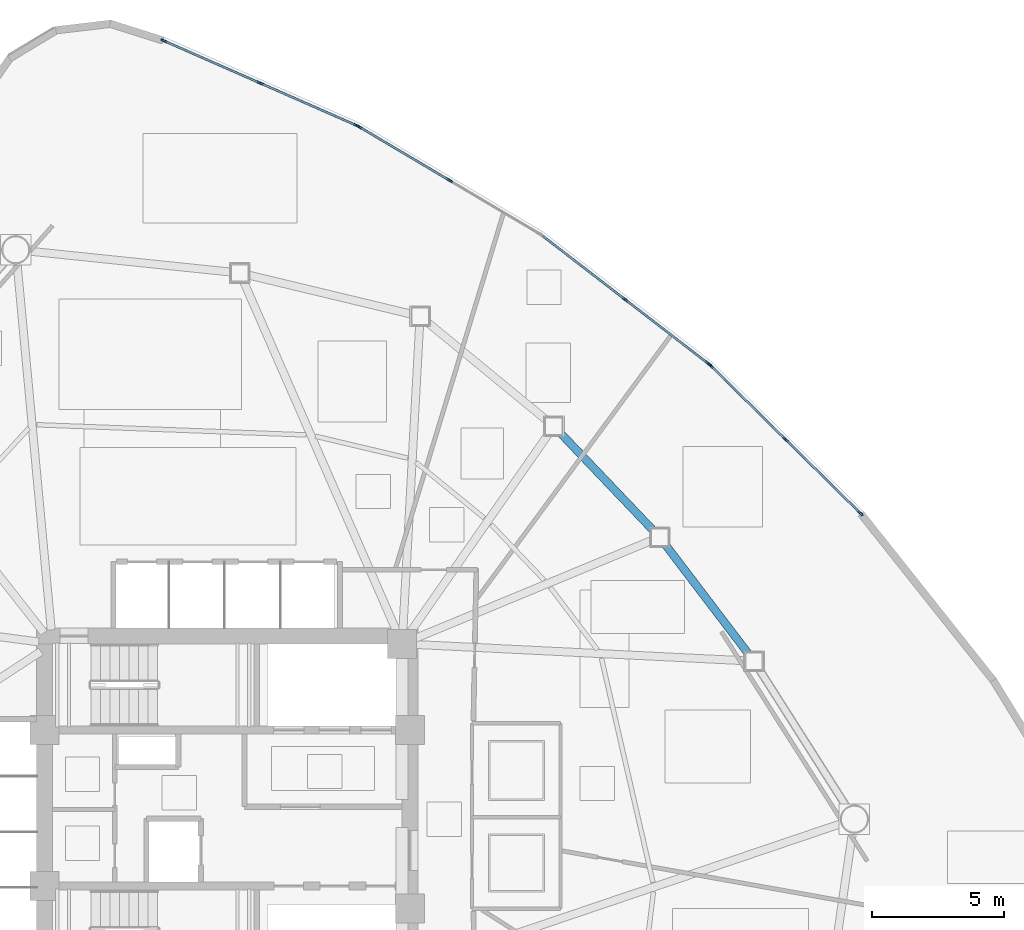
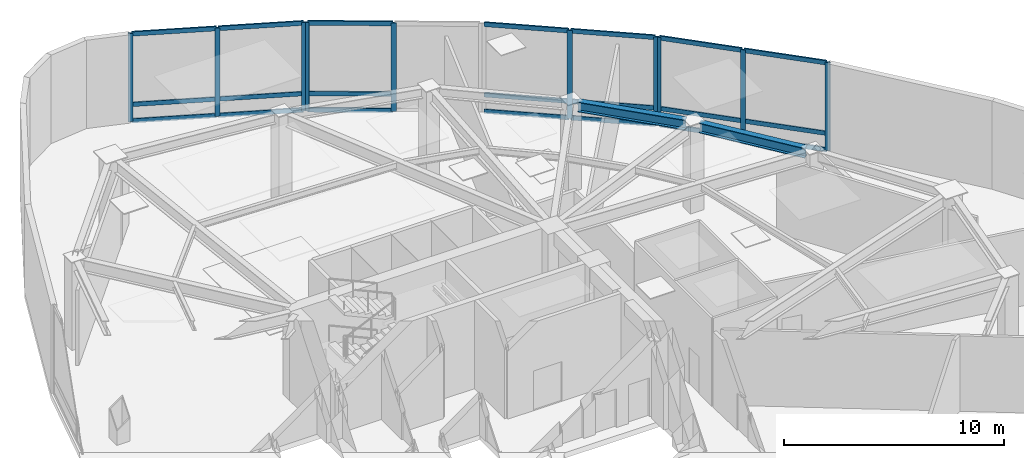
# One storey, part 7 of 14: 31 members, 2 beams, 4 elements without a shape of their own.
"""IFC4 building model written with IfcOpenShell, lengths in metres."""

from ifc_helpers import new_model, si_unit, direction, frame, origin, origin_2d, place, context, subcontext, project, spatial, hollow_rectangle, i_section, extrude, source, transform, mapped, material, layer, layer_set, material_profile, profile_set, type_object, type_shapes, element, aggregate, save


model = new_model("IFC4")

# Units and contexts
model_context = context("Model", 3, precision=1e-05, world=origin(), true_north=direction((0.0, 1.0)))
body_context = subcontext(model_context, "Body", "Model", "MODEL_VIEW")
ifc_project = project(units=[si_unit("LENGTHUNIT", "METRE"), si_unit("AREAUNIT", "SQUARE_METRE"), si_unit("VOLUMEUNIT", "CUBIC_METRE"), si_unit("PLANEANGLEUNIT", "RADIAN"), si_unit("MASSUNIT", "GRAM", prefix="KILO")], contexts=[model_context])

# Site, building, storey
site_placement = place(None, origin())
site = spatial("IfcSite", under=ifc_project, at=site_placement, CompositionType="ELEMENT")
building_placement = place(site_placement, origin())
building = spatial("IfcBuilding", under=site, at=building_placement, Name="Tavelor Broadcast Tower", CompositionType="ELEMENT")
storey_placement = place(building_placement, frame((0.0, 0.0, 110.39990234375)))
storey = spatial("IfcBuildingStorey", under=building, at=storey_placement, Name="L25", CompositionType="ELEMENT", Elevation=110.39990234375)

# Beams
ifc_material_1 = material(Name="Steel S355", Category="steel")
ifc_material_profile_1 = material_profile(ifc_material_1, i_section(OverallWidth=0.300048828125, OverallDepth=0.550048828125, WebThickness=0.014892578125, FlangeThickness=0.029052734375, at=origin_2d()), Name="HEB 550")
ifc_profile_set_1 = profile_set([ifc_material_profile_1], Name="Steel S355")
beam_type = type_object("IfcBeamType", Name="Perimeter Spandrel Beam T3 HEB 550", PredefinedType="SPANDREL", material=ifc_profile_set_1)
beam_1_placement = place(storey_placement, frame((69.6826171875, 50.8115234375, 4.625), z_axis=(-0.605507005058, 0.795839975639, 0.0), x_axis=(-0.795839975639, -0.605507005058, 0.0)))
element("IfcBeam", 1, at=beam_1_placement, inside=storey, type_object=beam_type, Name="L25 Framed-Tube Ring Spandrel 14", PredefinedType="SPANDREL", context=body_context, shape_type="SweptSolid", body=[
    extrude(i_section(OverallWidth=0.300048828125, OverallDepth=0.550048828125, WebThickness=0.014892578125, FlangeThickness=0.029052734375, at=origin_2d()), origin(), (0.0, 0.0, 1.0), 5.214111328125),
])
beam_2_placement = place(storey_placement, frame((66.090087890625, 55.471923828125, 4.625), z_axis=(-0.689928162502, 0.723877842309, 0.0), x_axis=(-0.723877842309, -0.689928162502, 0.0)))
element("IfcBeam", 2, at=beam_2_placement, inside=storey, type_object=beam_type, Name="L25 Framed-Tube Ring Spandrel 15", PredefinedType="SPANDREL", context=body_context, shape_type="SweptSolid", body=[
    extrude(i_section(OverallWidth=0.300048828125, OverallDepth=0.550048828125, WebThickness=0.014892578125, FlangeThickness=0.029052734375, at=origin_2d()), origin(), (0.0, 0.0, 1.0), 5.113037109375),
])

# Curtain wall, members
ifc_material_2 = material(Name="Architectural Anodized Aluminium", Category="aluminium")
ifc_layer = layer(ifc_material_2, 0.239990234375)
ifc_layer_set = layer_set([ifc_layer], Name="Architectural Anodized Aluminium")
curtain_wall_type = type_object("IfcCurtainWallType", Name="Sky Lobby Feature Structural Curtain Wall CW05", PredefinedType="NOTDEFINED", material=ifc_layer_set)
curtain_wall_1_placement = place(storey_placement, origin())
curtain_wall_1 = element("IfcCurtainWall", 3, at=curtain_wall_1_placement, inside=storey, type_object=curtain_wall_type, Name="L25 Curtain Wall CW05 Run 249", PredefinedType="NOTDEFINED")
ifc_material_profile_2 = material_profile(ifc_material_2, hollow_rectangle(XDim=0.080078125, YDim=0.239990234375, WallThickness=0.02197265625, at=origin_2d()), Name="RHS 80x240x22")
ifc_profile_set_2 = profile_set([ifc_material_profile_2], Name="Architectural Anodized Aluminium")
member_type_1 = type_object("IfcMemberType", Name="CW05 Extruded Aluminium Mullion 80x240", PredefinedType="MULLION", material=ifc_profile_set_2)
shared_shape_1 = source(origin(), body_context, "Body", "SweptSolid", [
    extrude(hollow_rectangle(XDim=0.080078125, YDim=0.239990234375, WallThickness=0.02197265625, at=origin_2d()), origin(), (0.0, 0.0, 1.0), 4.900146484375),
])
type_shapes(member_type_1, [shared_shape_1])
member_1_placement = place(storey_placement, frame((73.90380859375, 56.13037109375, 0.0), z_axis=(0.0, 0.0, 1.0), x_axis=(-0.701852395506, -0.712322409392, 0.0)))
member_1 = element("IfcMember", 4, at=member_1_placement, type_object=member_type_1, Name="CW05 mullion 1", PredefinedType="MULLION", context=body_context, shape_type="MappedRepresentation", body=[
    mapped(shared_shape_1, transform((0.0, 0.0, 0.0), scale=1.0)),
])
member_2_placement = place(storey_placement, frame((71.07470703125, 58.91796875, 0.0), z_axis=(0.0, 0.0, 1.0), x_axis=(-0.701852395506, -0.712322409392, 0.0)))
member_2 = element("IfcMember", 5, at=member_2_placement, type_object=member_type_1, Name="CW05 mullion 2", PredefinedType="MULLION", context=body_context, shape_type="MappedRepresentation", body=[
    mapped(shared_shape_1, transform((0.0, 0.0, 0.0), scale=1.0)),
])
member_3_placement = place(storey_placement, frame((68.245849609375, 61.705322265625, 0.0), z_axis=(0.0, 0.0, 1.0), x_axis=(-0.701852395506, -0.712322409392, 0.0)))
member_3 = element("IfcMember", 6, at=member_3_placement, type_object=member_type_1, Name="CW05 mullion 3", PredefinedType="MULLION", context=body_context, shape_type="MappedRepresentation", body=[
    mapped(shared_shape_1, transform((0.0, 0.0, 0.0), scale=1.0)),
])

curtain_wall_2_placement = place(storey_placement, origin())
curtain_wall_2 = element("IfcCurtainWall", 7, at=curtain_wall_2_placement, inside=storey, type_object=curtain_wall_type, Name="L25 Curtain Wall CW05 Run 250", PredefinedType="NOTDEFINED")
member_4_placement = place(storey_placement, frame((68.1630859375, 61.77734375, 0.0), z_axis=(0.0, 0.0, 1.0), x_axis=(-0.610483544326, -0.792028940195, 0.0)))
member_4 = element("IfcMember", 8, at=member_4_placement, type_object=member_type_1, Name="CW05 mullion 1", PredefinedType="MULLION", context=body_context, shape_type="MappedRepresentation", body=[
    mapped(shared_shape_1, transform((0.0, 0.0, 0.0), scale=1.0)),
])
member_5_placement = place(storey_placement, frame((65.0234375, 64.197265625, 0.0), z_axis=(0.0, 0.0, 1.0), x_axis=(-0.610483544326, -0.792028940195, 0.0)))
member_5 = element("IfcMember", 9, at=member_5_placement, type_object=member_type_1, Name="CW05 mullion 2", PredefinedType="MULLION", context=body_context, shape_type="MappedRepresentation", body=[
    mapped(shared_shape_1, transform((0.0, 0.0, 0.0), scale=1.0)),
])

curtain_wall_3_placement = place(storey_placement, origin())
curtain_wall_3 = element("IfcCurtainWall", 10, at=curtain_wall_3_placement, inside=storey, type_object=curtain_wall_type, Name="L25 Curtain Wall CW05 Run 251", PredefinedType="NOTDEFINED")
member_6_placement = place(storey_placement, frame((58.3837890625, 68.701171875, 0.0), z_axis=(0.0, 0.0, 1.0), x_axis=(-0.510155257935, -0.860082329083, 0.0)))
member_6 = element("IfcMember", 11, at=member_6_placement, type_object=member_type_1, Name="CW05 mullion 2", PredefinedType="MULLION", context=body_context, shape_type="MappedRepresentation", body=[
    mapped(shared_shape_1, transform((0.0, 0.0, 0.0), scale=1.0)),
])
member_7_placement = place(storey_placement, frame((54.974365234375, 70.723388671875, 0.0), z_axis=(0.0, 0.0, 1.0), x_axis=(-0.510155257935, -0.860082329083, 0.0)))
member_7 = element("IfcMember", 12, at=member_7_placement, type_object=member_type_1, Name="CW05 mullion 3", PredefinedType="MULLION", context=body_context, shape_type="MappedRepresentation", body=[
    mapped(shared_shape_1, transform((0.0, 0.0, 0.0), scale=1.0)),
])

curtain_wall_4_placement = place(storey_placement, origin())
curtain_wall_4 = element("IfcCurtainWall", 13, at=curtain_wall_4_placement, inside=storey, type_object=curtain_wall_type, Name="L25 Curtain Wall CW05 Run 252", PredefinedType="NOTDEFINED")
member_8_placement = place(storey_placement, frame((54.876708984375, 70.773681640625, 0.0), z_axis=(0.0, 0.0, 1.0), x_axis=(-0.402315483549, -0.915501093225, 0.0)))
member_8 = element("IfcMember", 14, at=member_8_placement, type_object=member_type_1, Name="CW05 mullion 1", PredefinedType="MULLION", context=body_context, shape_type="MappedRepresentation", body=[
    mapped(shared_shape_1, transform((0.0, 0.0, 0.0), scale=1.0)),
])
member_9_placement = place(storey_placement, frame((51.240478515625, 72.37158203125, 0.0), z_axis=(0.0, 0.0, 1.0), x_axis=(-0.402315483549, -0.915501093225, 0.0)))
member_9 = element("IfcMember", 15, at=member_9_placement, type_object=member_type_1, Name="CW05 mullion 2", PredefinedType="MULLION", context=body_context, shape_type="MappedRepresentation", body=[
    mapped(shared_shape_1, transform((0.0, 0.0, 0.0), scale=1.0)),
])
member_10_placement = place(storey_placement, frame((47.604248046875, 73.969482421875, 0.0), z_axis=(0.0, 0.0, 1.0), x_axis=(-0.402315483549, -0.915501093225, 0.0)))
member_10 = element("IfcMember", 16, at=member_10_placement, type_object=member_type_1, Name="CW05 mullion 3", PredefinedType="MULLION", context=body_context, shape_type="MappedRepresentation", body=[
    mapped(shared_shape_1, transform((0.0, 0.0, 0.0), scale=1.0)),
])

# Member
ifc_material_profile_3 = material_profile(ifc_material_2, hollow_rectangle(XDim=0.080078125, YDim=0.239990234375, WallThickness=0.02197265625, at=origin_2d()), Name="RHS 80x240x22")
ifc_profile_set_3 = profile_set([ifc_material_profile_3], Name="Architectural Anodized Aluminium")
member_type_2 = type_object("IfcMemberType", Name="CW05 Extruded Aluminium Transom 80x240", PredefinedType="USERDEFINED", material=ifc_profile_set_3)
shared_shape_2 = source(origin(), body_context, "Body", "SweptSolid", [
    extrude(hollow_rectangle(XDim=0.080078125, YDim=0.239990234375, WallThickness=0.02197265625, at=origin_2d()), origin(), (0.0, 0.0, 1.0), 3.891357421875),
])
member_11_placement = place(storey_placement, frame((71.046142578125, 58.946044921875, 0.0400390625), z_axis=(-0.712325989452, 0.701848762022, 0.0), x_axis=(-0.701848762022, -0.712325989452, 0.0)))
member_11 = element("IfcMember", 17, at=member_11_placement, type_object=member_type_2, Name="CW05 transom 2.1", ObjectType="TRANSOM", PredefinedType="USERDEFINED", context=body_context, shape_type="MappedRepresentation", body=[
    mapped(shared_shape_2, transform((0.0, 0.0, 0.0), scale=1.0)),
])

member_12_placement = place(storey_placement, frame((71.046142578125, 58.946044921875, 0.9501953125), z_axis=(-0.712325989452, 0.701848762022, 0.0), x_axis=(-0.701848762022, -0.712325989452, 0.0)))
member_12 = element("IfcMember", 18, at=member_12_placement, type_object=member_type_2, Name="CW05 transom 2.2", ObjectType="TRANSOM", PredefinedType="USERDEFINED", context=body_context, shape_type="MappedRepresentation", body=[
    mapped(shared_shape_2, transform((0.0, 0.0, 0.0), scale=1.0)),
])

member_13_placement = place(storey_placement, frame((71.046142578125, 58.946044921875, 4.860107421875), z_axis=(-0.712325989452, 0.701848762022, 0.0), x_axis=(-0.701848762022, -0.712325989452, 0.0)))
member_13 = element("IfcMember", 19, at=member_13_placement, type_object=member_type_2, Name="CW05 transom 2.3", ObjectType="TRANSOM", PredefinedType="USERDEFINED", context=body_context, shape_type="MappedRepresentation", body=[
    mapped(shared_shape_2, transform((0.0, 0.0, 0.0), scale=1.0)),
])

shared_shape_3 = source(origin(), body_context, "Body", "SweptSolid", [
    extrude(hollow_rectangle(XDim=0.080078125, YDim=0.239990234375, WallThickness=0.02197265625, at=origin_2d()), origin(), (0.0, 0.0, 1.0), 3.884033203125),
])
member_14_placement = place(storey_placement, frame((68.13134765625, 61.8017578125, 0.0400390625), z_axis=(-0.792025394047, 0.610488144999, 0.0), x_axis=(-0.610488144999, -0.792025394047, 0.0)))
member_14 = element("IfcMember", 20, at=member_14_placement, type_object=member_type_2, Name="CW05 transom 1.1", ObjectType="TRANSOM", PredefinedType="USERDEFINED", context=body_context, shape_type="MappedRepresentation", body=[
    mapped(shared_shape_3, transform((0.0, 0.0, 0.0), scale=1.0)),
])

member_15_placement = place(storey_placement, frame((68.13134765625, 61.8017578125, 0.9501953125), z_axis=(-0.792025394047, 0.610488144999, 0.0), x_axis=(-0.610488144999, -0.792025394047, 0.0)))
member_15 = element("IfcMember", 21, at=member_15_placement, type_object=member_type_2, Name="CW05 transom 1.2", ObjectType="TRANSOM", PredefinedType="USERDEFINED", context=body_context, shape_type="MappedRepresentation", body=[
    mapped(shared_shape_3, transform((0.0, 0.0, 0.0), scale=1.0)),
])

member_16_placement = place(storey_placement, frame((68.13134765625, 61.8017578125, 4.860107421875), z_axis=(-0.792025394047, 0.610488144999, 0.0), x_axis=(-0.610488144999, -0.792025394047, 0.0)))
member_16 = element("IfcMember", 22, at=member_16_placement, type_object=member_type_2, Name="CW05 transom 1.3", ObjectType="TRANSOM", PredefinedType="USERDEFINED", context=body_context, shape_type="MappedRepresentation", body=[
    mapped(shared_shape_3, transform((0.0, 0.0, 0.0), scale=1.0)),
])

member_17_placement = place(storey_placement, frame((64.99169921875, 64.2216796875, 0.0400390625), z_axis=(-0.792025394047, 0.610488144999, 0.0), x_axis=(-0.610488144999, -0.792025394047, 0.0)))
member_17 = element("IfcMember", 23, at=member_17_placement, type_object=member_type_2, Name="CW05 transom 2.1", ObjectType="TRANSOM", PredefinedType="USERDEFINED", context=body_context, shape_type="MappedRepresentation", body=[
    mapped(shared_shape_3, transform((0.0, 0.0, 0.0), scale=1.0)),
])

member_18_placement = place(storey_placement, frame((64.99169921875, 64.2216796875, 0.9501953125), z_axis=(-0.792025394047, 0.610488144999, 0.0), x_axis=(-0.610488144999, -0.792025394047, 0.0)))
member_18 = element("IfcMember", 24, at=member_18_placement, type_object=member_type_2, Name="CW05 transom 2.2", ObjectType="TRANSOM", PredefinedType="USERDEFINED", context=body_context, shape_type="MappedRepresentation", body=[
    mapped(shared_shape_3, transform((0.0, 0.0, 0.0), scale=1.0)),
])

member_19_placement = place(storey_placement, frame((64.99169921875, 64.2216796875, 4.860107421875), z_axis=(-0.792025394047, 0.610488144999, 0.0), x_axis=(-0.610488144999, -0.792025394047, 0.0)))
member_19 = element("IfcMember", 25, at=member_19_placement, type_object=member_type_2, Name="CW05 transom 2.3", ObjectType="TRANSOM", PredefinedType="USERDEFINED", context=body_context, shape_type="MappedRepresentation", body=[
    mapped(shared_shape_3, transform((0.0, 0.0, 0.0), scale=1.0)),
])

aggregate(curtain_wall_2, [member_4, member_5, member_14, member_15, member_16, member_17, member_18, member_19])

member_20_placement = place(storey_placement, frame((58.349365234375, 68.721435546875, 0.0400390625), z_axis=(-0.860083169612, 0.510153840866, 0.0), x_axis=(-0.510153840866, -0.860083169612, 0.0)))
member_20 = element("IfcMember", 26, at=member_20_placement, type_object=member_type_2, Name="CW05 transom 2.1", ObjectType="TRANSOM", PredefinedType="USERDEFINED", context=body_context, shape_type="MappedRepresentation", body=[
    mapped(shared_shape_3, transform((0.0, 0.0, 0.0), scale=1.0)),
])

member_21_placement = place(storey_placement, frame((58.349365234375, 68.721435546875, 0.9501953125), z_axis=(-0.860083169612, 0.510153840866, 0.0), x_axis=(-0.510153840866, -0.860083169612, 0.0)))
member_21 = element("IfcMember", 27, at=member_21_placement, type_object=member_type_2, Name="CW05 transom 2.2", ObjectType="TRANSOM", PredefinedType="USERDEFINED", context=body_context, shape_type="MappedRepresentation", body=[
    mapped(shared_shape_3, transform((0.0, 0.0, 0.0), scale=1.0)),
])

member_22_placement = place(storey_placement, frame((58.349365234375, 68.721435546875, 4.860107421875), z_axis=(-0.860083169612, 0.510153840866, 0.0), x_axis=(-0.510153840866, -0.860083169612, 0.0)))
member_22 = element("IfcMember", 28, at=member_22_placement, type_object=member_type_2, Name="CW05 transom 2.3", ObjectType="TRANSOM", PredefinedType="USERDEFINED", context=body_context, shape_type="MappedRepresentation", body=[
    mapped(shared_shape_3, transform((0.0, 0.0, 0.0), scale=1.0)),
])

aggregate(curtain_wall_3, [member_6, member_7, member_20, member_21, member_22])

shared_shape_4 = source(origin(), body_context, "Body", "SweptSolid", [
    extrude(hollow_rectangle(XDim=0.080078125, YDim=0.239990234375, WallThickness=0.02197265625, at=origin_2d()), origin(), (0.0, 0.0, 1.0), 3.891845703125),
])
member_23_placement = place(storey_placement, frame((54.840087890625, 70.789794921875, 0.0400390625), z_axis=(-0.915508251988, 0.402299192819, 0.0), x_axis=(-0.402299192819, -0.915508251988, 0.0)))
member_23 = element("IfcMember", 29, at=member_23_placement, type_object=member_type_2, Name="CW05 transom 1.1", ObjectType="TRANSOM", PredefinedType="USERDEFINED", context=body_context, shape_type="MappedRepresentation", body=[
    mapped(shared_shape_4, transform((0.0, 0.0, 0.0), scale=1.0)),
])

member_24_placement = place(storey_placement, frame((54.840087890625, 70.789794921875, 0.9501953125), z_axis=(-0.915508251988, 0.402299192819, 0.0), x_axis=(-0.402299192819, -0.915508251988, 0.0)))
member_24 = element("IfcMember", 30, at=member_24_placement, type_object=member_type_2, Name="CW05 transom 1.2", ObjectType="TRANSOM", PredefinedType="USERDEFINED", context=body_context, shape_type="MappedRepresentation", body=[
    mapped(shared_shape_4, transform((0.0, 0.0, 0.0), scale=1.0)),
])

member_25_placement = place(storey_placement, frame((54.840087890625, 70.789794921875, 4.860107421875), z_axis=(-0.915508251988, 0.402299192819, 0.0), x_axis=(-0.402299192819, -0.915508251988, 0.0)))
member_25 = element("IfcMember", 31, at=member_25_placement, type_object=member_type_2, Name="CW05 transom 1.3", ObjectType="TRANSOM", PredefinedType="USERDEFINED", context=body_context, shape_type="MappedRepresentation", body=[
    mapped(shared_shape_4, transform((0.0, 0.0, 0.0), scale=1.0)),
])

member_26_placement = place(storey_placement, frame((51.203857421875, 72.3876953125, 0.0400390625), z_axis=(-0.915508251988, 0.402299192819, 0.0), x_axis=(-0.402299192819, -0.915508251988, 0.0)))
member_26 = element("IfcMember", 32, at=member_26_placement, type_object=member_type_2, Name="CW05 transom 2.1", ObjectType="TRANSOM", PredefinedType="USERDEFINED", context=body_context, shape_type="MappedRepresentation", body=[
    mapped(shared_shape_4, transform((0.0, 0.0, 0.0), scale=1.0)),
])

member_27_placement = place(storey_placement, frame((51.203857421875, 72.3876953125, 0.9501953125), z_axis=(-0.915508251988, 0.402299192819, 0.0), x_axis=(-0.402299192819, -0.915508251988, 0.0)))
member_27 = element("IfcMember", 33, at=member_27_placement, type_object=member_type_2, Name="CW05 transom 2.2", ObjectType="TRANSOM", PredefinedType="USERDEFINED", context=body_context, shape_type="MappedRepresentation", body=[
    mapped(shared_shape_4, transform((0.0, 0.0, 0.0), scale=1.0)),
])

member_28_placement = place(storey_placement, frame((51.203857421875, 72.3876953125, 4.860107421875), z_axis=(-0.915508251988, 0.402299192819, 0.0), x_axis=(-0.402299192819, -0.915508251988, 0.0)))
member_28 = element("IfcMember", 34, at=member_28_placement, type_object=member_type_2, Name="CW05 transom 2.3", ObjectType="TRANSOM", PredefinedType="USERDEFINED", context=body_context, shape_type="MappedRepresentation", body=[
    mapped(shared_shape_4, transform((0.0, 0.0, 0.0), scale=1.0)),
])

aggregate(curtain_wall_4, [member_8, member_9, member_10, member_23, member_24, member_25, member_26, member_27, member_28])

shared_shape_5 = source(origin(), body_context, "Body", "SweptSolid", [
    extrude(hollow_rectangle(XDim=0.080078125, YDim=0.239990234375, WallThickness=0.02197265625, at=origin_2d()), origin(), (0.0, 0.0, 1.0), 3.8916015625),
])
type_shapes(member_type_2, [shared_shape_2, shared_shape_3, shared_shape_4, shared_shape_5])
member_29_placement = place(storey_placement, frame((73.875244140625, 56.158447265625, 0.0400390625), z_axis=(-0.712294624621, 0.701880593646, 0.0), x_axis=(-0.701880593646, -0.712294624621, 0.0)))
member_29 = element("IfcMember", 35, at=member_29_placement, type_object=member_type_2, Name="CW05 transom 1.1", ObjectType="TRANSOM", PredefinedType="USERDEFINED", context=body_context, shape_type="MappedRepresentation", body=[
    mapped(shared_shape_5, transform((0.0, 0.0, 0.0), scale=1.0)),
])

member_30_placement = place(storey_placement, frame((73.875244140625, 56.158447265625, 0.9501953125), z_axis=(-0.712294624621, 0.701880593646, 0.0), x_axis=(-0.701880593646, -0.712294624621, 0.0)))
member_30 = element("IfcMember", 36, at=member_30_placement, type_object=member_type_2, Name="CW05 transom 1.2", ObjectType="TRANSOM", PredefinedType="USERDEFINED", context=body_context, shape_type="MappedRepresentation", body=[
    mapped(shared_shape_5, transform((0.0, 0.0, 0.0), scale=1.0)),
])

member_31_placement = place(storey_placement, frame((73.875244140625, 56.158447265625, 4.860107421875), z_axis=(-0.712294624621, 0.701880593646, 0.0), x_axis=(-0.701880593646, -0.712294624621, 0.0)))
member_31 = element("IfcMember", 37, at=member_31_placement, type_object=member_type_2, Name="CW05 transom 1.3", ObjectType="TRANSOM", PredefinedType="USERDEFINED", context=body_context, shape_type="MappedRepresentation", body=[
    mapped(shared_shape_5, transform((0.0, 0.0, 0.0), scale=1.0)),
])

aggregate(curtain_wall_1, [member_1, member_2, member_3, member_29, member_30, member_31, member_11, member_12, member_13])

save(model, "model.ifc")
